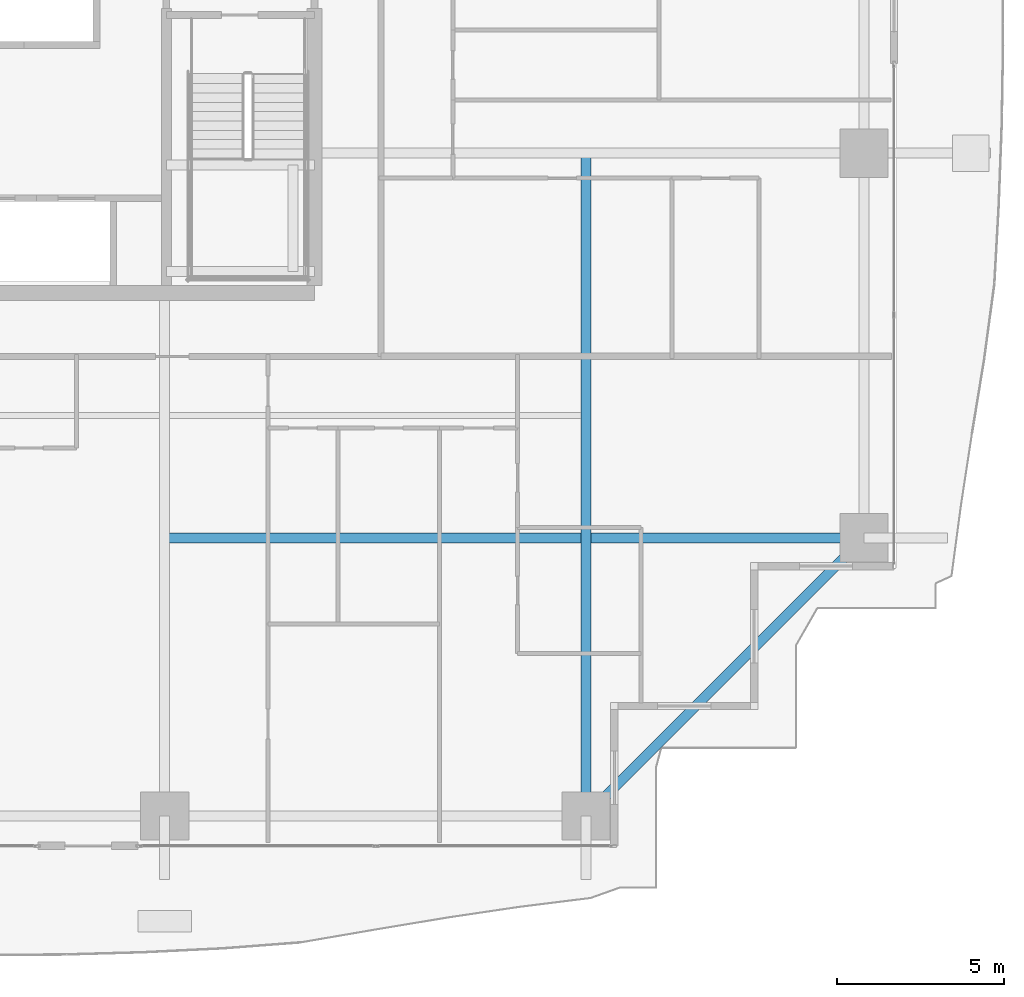
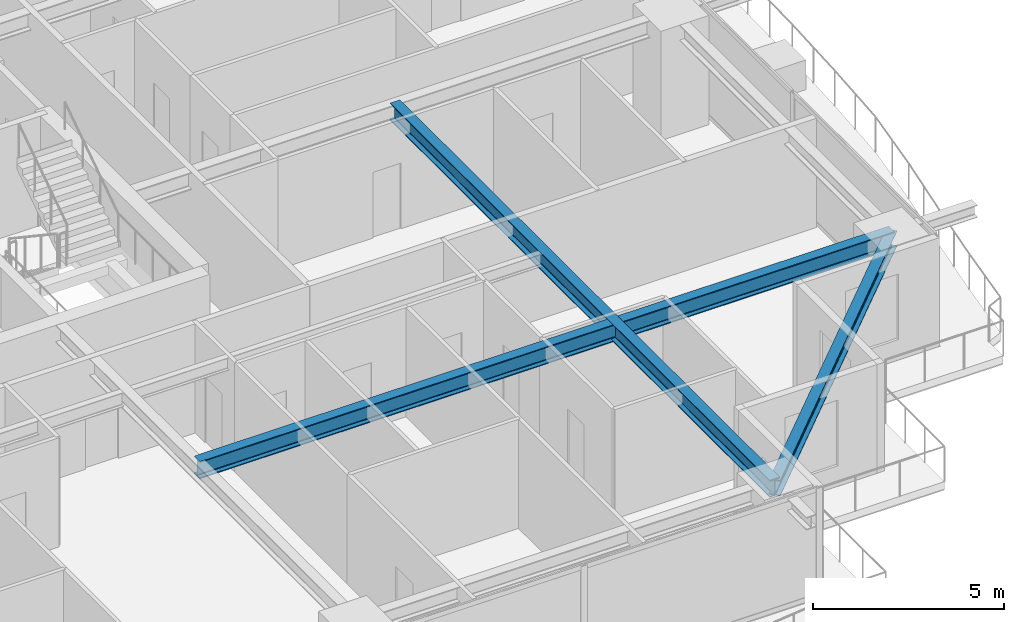
# One storey, part 12 of 39: 3 beams.
"""IFC4 building model written with IfcOpenShell, lengths in metres."""

from ifc_helpers import new_model, si_unit, direction, frame, origin, origin_2d, place, context, subcontext, project, spatial, i_section, extrude, source, transform, mapped, material, material_profile, profile_set, type_object, element, save


model = new_model("IFC4")

# Units and contexts
model_context = context("Model", 3, precision=1e-05, world=origin(), true_north=direction((0.0, 1.0)))
body_context = subcontext(model_context, "Body", "Model", "MODEL_VIEW")
ifc_project = project(units=[si_unit("LENGTHUNIT", "METRE"), si_unit("AREAUNIT", "SQUARE_METRE"), si_unit("VOLUMEUNIT", "CUBIC_METRE"), si_unit("PLANEANGLEUNIT", "RADIAN"), si_unit("MASSUNIT", "GRAM", prefix="KILO")], contexts=[model_context])

# Site, building, storey
site_placement = place(None, origin())
site = spatial("IfcSite", under=ifc_project, at=site_placement, CompositionType="ELEMENT")
building_placement = place(site_placement, origin())
building = spatial("IfcBuilding", under=site, at=building_placement, Name="Serunith Strait Residences", CompositionType="ELEMENT")
storey_placement = place(building_placement, frame((0.0, 0.0, 94.199951171875)))
storey = spatial("IfcBuildingStorey", under=building, at=storey_placement, Name="L23", CompositionType="ELEMENT", Elevation=94.199951171875)

# Beams
ifc_material = material(Name="Steel S355J2", Category="steel")
ifc_material_profile_1 = material_profile(ifc_material, i_section(OverallWidth=0.300048828125, OverallDepth=0.550048828125, WebThickness=0.014892578125, FlangeThickness=0.029052734375, FilletRadius=0.027099609375, at=origin_2d()), Name="HEB 550")
ifc_profile_set_1 = profile_set([ifc_material_profile_1], Name="Steel S355J2")
beam_type_1 = type_object("IfcBeamType", Name="BM-HEB550", PredefinedType="BEAM", material=ifc_profile_set_1)
shared_shape_1 = source(origin(), body_context, "Body", "SweptSolid", [
    extrude(i_section(OverallWidth=0.300048828125, OverallDepth=0.550048828125, WebThickness=0.014892578125, FlangeThickness=0.029052734375, FilletRadius=0.027099609375, at=origin_2d()), origin(), (0.0, 0.0, 1.0), 19.89990234375),
])
beam_1_placement = place(storey_placement, frame((49.550048828125, 21.0, 3.212158203125), z_axis=(0.0, -1.0, 0.0), x_axis=(1.0, 0.0, 0.0)))
element("IfcBeam", 1, at=beam_1_placement, inside=storey, type_object=beam_type_1, Name="L23 Orthogonal Corner Girder TC-S4", PredefinedType="BEAM", context=body_context, shape_type="MappedRepresentation", body=[
    mapped(shared_shape_1, transform((0.0, 0.0, 0.0), scale=1.0)),
])
shared_shape_2 = source(origin(), body_context, "Body", "SweptSolid", [
    extrude(i_section(OverallWidth=0.300048828125, OverallDepth=0.550048828125, WebThickness=0.014892578125, FlangeThickness=0.029052734375, FilletRadius=0.027099609375, at=origin_2d()), origin(), (0.0, 0.0, 1.0), 21.0),
])
beam_2_placement = place(storey_placement, frame((36.89990234375, 9.449951171875, 3.212158203125), z_axis=(1.0, 0.0, 0.0), x_axis=(0.0, 1.0, 0.0)))
element("IfcBeam", 2, at=beam_2_placement, inside=storey, type_object=beam_type_1, Name="L23 Orthogonal Corner Girder TC-E1", PredefinedType="BEAM", context=body_context, shape_type="MappedRepresentation", body=[
    mapped(shared_shape_2, transform((0.0, 0.0, 0.0), scale=1.0)),
])
ifc_material_profile_2 = material_profile(ifc_material, i_section(OverallWidth=0.300048828125, OverallDepth=0.5, WebThickness=0.014404296875, FlangeThickness=0.028076171875, FilletRadius=0.027099609375, at=origin_2d()), Name="HEB 500")
ifc_profile_set_2 = profile_set([ifc_material_profile_2], Name="Steel S355J2")
beam_type_2 = type_object("IfcBeamType", Name="BM-HEB500", PredefinedType="BEAM", material=ifc_profile_set_2)
shared_shape_3 = source(origin(), body_context, "Body", "SweptSolid", [
    extrude(i_section(OverallWidth=0.300048828125, OverallDepth=0.5, WebThickness=0.014404296875, FlangeThickness=0.028076171875, FilletRadius=0.027099609375, at=origin_2d()), origin(), (0.0, 0.0, 1.0), 11.80859375),
])
beam_3_placement = place(storey_placement, frame((49.550048828125, 1.10009765625, 3.20703125), z_axis=(0.707106781187, 0.707106781187, 0.0), x_axis=(-0.707106781187, 0.707106781187, 0.0)))
element("IfcBeam", 3, at=beam_3_placement, inside=storey, type_object=beam_type_2, Name="L23 Perimeter Ring Beam 04", PredefinedType="BEAM", context=body_context, shape_type="MappedRepresentation", body=[
    mapped(shared_shape_3, transform((0.0, 0.0, 0.0), scale=1.0)),
])

save(model, "model.ifc")
